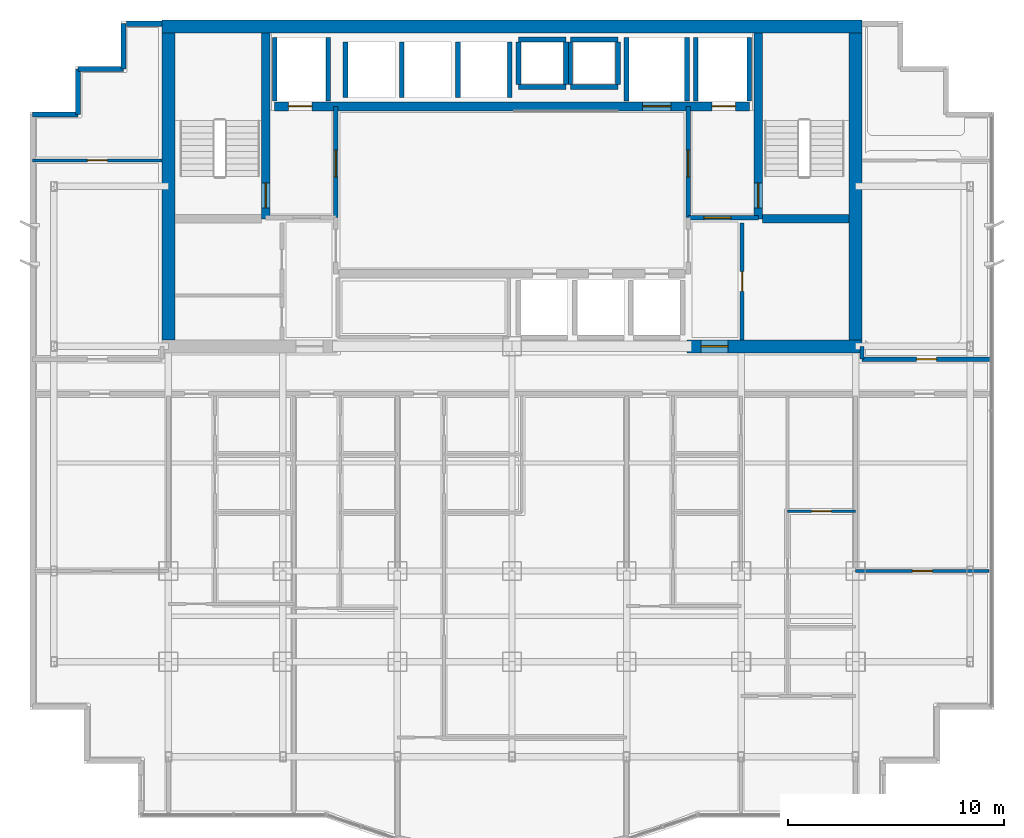
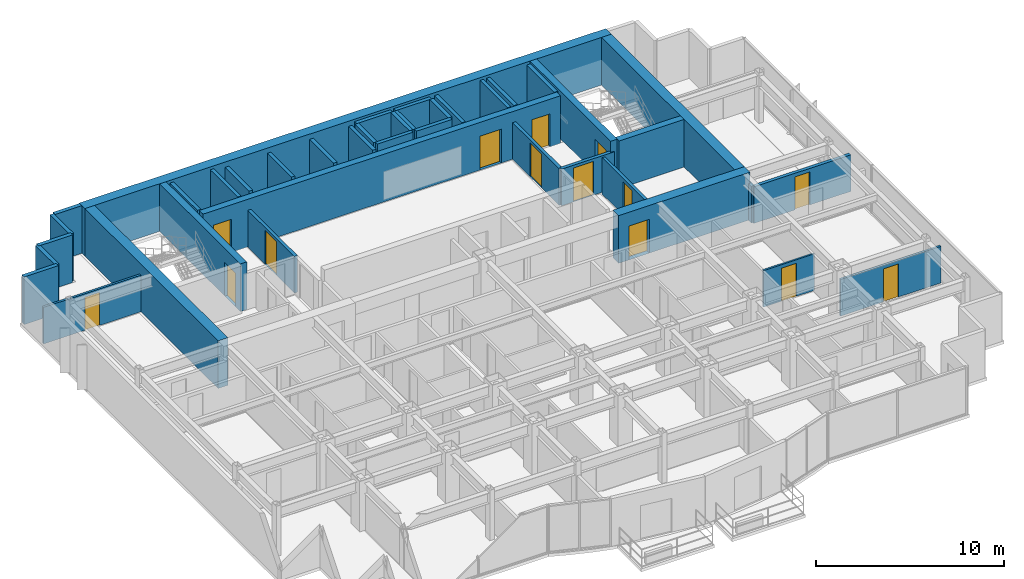
# One storey, part 10 of 13: 40 walls, 14 doors, 14 openings.
"""IFC4 building model written with IfcOpenShell, lengths in metres."""

from ifc_helpers import new_model, si_unit, direction, frame, frame_2d, origin, place, context, subcontext, project, spatial, rectangle, extrude, material, layer, layer_set, type_object, element, fill, save


model = new_model("IFC4")

# Units and contexts
model_context = context("Model", 3, precision=1e-05, world=origin(), true_north=direction((0.0, 1.0)))
body_context = subcontext(model_context, "Body", "Model", "MODEL_VIEW")
ifc_project = project(units=[si_unit("LENGTHUNIT", "METRE"), si_unit("AREAUNIT", "SQUARE_METRE"), si_unit("VOLUMEUNIT", "CUBIC_METRE"), si_unit("PLANEANGLEUNIT", "RADIAN"), si_unit("MASSUNIT", "GRAM", prefix="KILO")], contexts=[model_context])

# Site, building, storey
site_placement = place(None, origin())
site = spatial("IfcSite", under=ifc_project, at=site_placement, CompositionType="ELEMENT")
building_placement = place(site_placement, origin())
building = spatial("IfcBuilding", under=site, at=building_placement, Name="Qianlan Lanfeng Residences", CompositionType="ELEMENT")
storey_placement = place(building_placement, frame((0.0, 0.0, 139.199951171875)))
storey = spatial("IfcBuildingStorey", under=building, at=storey_placement, Name="L37", CompositionType="ELEMENT", Elevation=139.199951171875)

# Wall, opening, door
ifc_material_1 = material(Name="Concrete C56", Category="concrete")
ifc_layer_1 = layer(ifc_material_1, 0.39990234375)
ifc_layer_set_1 = layer_set([ifc_layer_1], Name="Concrete C56")
wall_type_1 = type_object("IfcWallType", Name="CW-RC-400", PredefinedType="SHEAR", material=ifc_layer_set_1)
wall_1_placement = place(storey_placement, frame((15.10009765625, 31.10009765625, 0.0), z_axis=(0.0, 0.0, 1.0), x_axis=(0.0, 1.0, 0.0)))
wall_1 = element("IfcWall", 1, at=wall_1_placement, inside=storey, type_object=wall_type_1, Name="L37 Core Shear Wall ST1E", PredefinedType="SHEAR", context=body_context, shape_type="SweptSolid", body=[
    extrude(rectangle(XDim=8.599853515625, YDim=0.39990234375, at=frame_2d((4.2998046875, 0.0))), origin(), (0.0, 0.0, 1.0), 3.10009765625),
])
opening_1_placement = place(wall_1_placement, frame((0.510009765625, 0.0, 0.0)))
opening_1 = element("IfcOpeningElement", 2, at=opening_1_placement, cuts=wall_1, Name="Opening L37-D07", PredefinedType="OPENING", context=body_context, shape_type="SweptSolid", body=[
    extrude(rectangle(XDim=1.14990234375, YDim=2.199951171875, at=frame_2d((0.574951171875, 1.10009765625))), frame((0.0, 0.2099609375, 0.0), z_axis=(0.0, -1.0, 0.0), x_axis=(1.0, 0.0, 0.0)), (0.0, 0.0, 1.0), 0.419921875),
])
ifc_material_2 = material(Name="Painted Galvanised Steel Fire Door", Category="steel")
door_type_1 = type_object("IfcDoorType", Name="DT-ST1", OperationType="NOTDEFINED", PredefinedType="DOOR", material=ifc_material_2)
door_1_placement = place(opening_1_placement, frame((1.14990234375, 0.0, 0.0), z_axis=(0.0, 0.0, 1.0), x_axis=(-1.0, 0.0, 0.0)))
door_1 = element("IfcDoor", 3, at=door_1_placement, inside=storey, type_object=door_type_1, Name="L37 Exit Stair ST-1 Door L37-D07 (DT-ST1)", OperationType="SINGLE_SWING_RIGHT", OverallHeight=2.199951171875, OverallWidth=1.14990234375, PredefinedType="DOOR", context=body_context, shape_type="SweptSolid", body=[
    extrude(rectangle(XDim=1.14990234375, YDim=2.199951171875, at=frame_2d((0.574951171875, 1.10009765625))), frame((0.0, 0.02490234375, 0.0), z_axis=(0.0, -1.0, 0.0), x_axis=(1.0, 0.0, 0.0)), (0.0, 0.0, 1.0), 0.050048828125),
])
fill(opening_1, door_1)

wall_2_placement = place(storey_placement, frame((37.89990234375, 31.10009765625, 0.0), z_axis=(0.0, 0.0, 1.0), x_axis=(0.0, 1.0, 0.0)))
wall_2 = element("IfcWall", 4, at=wall_2_placement, inside=storey, type_object=wall_type_1, Name="L37 Core Shear Wall ST2W", PredefinedType="SHEAR", context=body_context, shape_type="SweptSolid", body=[
    extrude(rectangle(XDim=8.599853515625, YDim=0.39990234375, at=frame_2d((4.2998046875, 0.0))), origin(), (0.0, 0.0, 1.0), 3.10009765625),
])
opening_2_placement = place(wall_2_placement, frame((0.510009765625, 0.0, 0.0)))
opening_2 = element("IfcOpeningElement", 5, at=opening_2_placement, cuts=wall_2, Name="Opening L37-D08", PredefinedType="OPENING", context=body_context, shape_type="SweptSolid", body=[
    extrude(rectangle(XDim=1.14990234375, YDim=2.199951171875, at=frame_2d((0.574951171875, 1.10009765625))), frame((0.0, 0.2099609375, 0.0), z_axis=(0.0, -1.0, 0.0), x_axis=(1.0, 0.0, 0.0)), (0.0, 0.0, 1.0), 0.419921875),
])
door_2_placement = place(opening_2_placement, origin())
door_2 = element("IfcDoor", 6, at=door_2_placement, inside=storey, type_object=door_type_1, Name="L37 Exit Stair ST-2 Door L37-D08 (DT-ST1)", OperationType="SINGLE_SWING_RIGHT", OverallHeight=2.199951171875, OverallWidth=1.14990234375, PredefinedType="DOOR", context=body_context, shape_type="SweptSolid", body=[
    extrude(rectangle(XDim=1.14990234375, YDim=2.199951171875, at=frame_2d((0.574951171875, 1.10009765625))), frame((0.0, 0.02490234375, 0.0), z_axis=(0.0, -1.0, 0.0), x_axis=(1.0, 0.0, 0.0)), (0.0, 0.0, 1.0), 0.050048828125),
])
fill(opening_2, door_2)

# Wall
wall_3_placement = place(storey_placement, frame((38.10009765625, 31.10009765625, 0.0), z_axis=(0.0, 0.0, 1.0), x_axis=(1.0, 0.0, 0.0)))
element("IfcWall", 7, at=wall_3_placement, inside=storey, type_object=wall_type_1, Name="L37 Core Shear Wall ST2S", PredefinedType="SHEAR", context=body_context, shape_type="SweptSolid", body=[
    extrude(rectangle(XDim=4.0, YDim=0.39990234375, at=frame_2d((2.0, 0.0))), origin(), (0.0, 0.0, 1.0), 3.10009765625),
])

# Wall, openings, doors
wall_4_placement = place(storey_placement, frame((15.5, 36.300048828125, 0.0), z_axis=(0.0, 0.0, 1.0), x_axis=(1.0, 0.0, 0.0)))
wall_4 = element("IfcWall", 8, at=wall_4_placement, inside=storey, type_object=wall_type_1, Name="L37 Core Shear Wall LBN", PredefinedType="SHEAR", context=body_context, shape_type="SweptSolid", body=[
    extrude(rectangle(XDim=22.0, YDim=0.39990234375, at=frame_2d((11.0, 0.0))), origin(), (0.0, 0.0, 1.0), 3.10009765625),
])
opening_3_placement = place(wall_4_placement, frame((0.64990234375, 0.0, 0.0)))
opening_3 = element("IfcOpeningElement", 9, at=opening_3_placement, cuts=wall_4, Name="Opening L37-LD-FFL-1", PredefinedType="OPENING", context=body_context, shape_type="SweptSolid", body=[
    extrude(rectangle(XDim=1.10009765625, YDim=2.14990234375, at=frame_2d((0.550048828125, 1.074951171875))), frame((0.0, 0.2099609375, 0.0), z_axis=(0.0, -1.0, 0.0), x_axis=(1.0, 0.0, 0.0)), (0.0, 0.0, 1.0), 0.419921875),
])
opening_4_placement = place(wall_4_placement, frame((20.25, 0.0, 0.0)))
opening_4 = element("IfcOpeningElement", 10, at=opening_4_placement, cuts=wall_4, Name="Opening L37-LD-FFL-2", PredefinedType="OPENING", context=body_context, shape_type="SweptSolid", body=[
    extrude(rectangle(XDim=1.10009765625, YDim=2.14990234375, at=frame_2d((0.550048828125, 1.074951171875))), frame((0.0, 0.2099609375, 0.0), z_axis=(0.0, -1.0, 0.0), x_axis=(1.0, 0.0, 0.0)), (0.0, 0.0, 1.0), 0.419921875),
])
opening_5_placement = place(wall_4_placement, frame((17.050048828125, 0.0, 0.0)))
opening_5 = element("IfcOpeningElement", 11, at=opening_5_placement, cuts=wall_4, Name="Opening L37-LD-SVL-1", PredefinedType="OPENING", context=body_context, shape_type="SweptSolid", body=[
    extrude(rectangle(XDim=1.300048828125, YDim=2.199951171875, at=frame_2d((0.64990234375, 1.10009765625))), frame((0.0, 0.2099609375, 0.0), z_axis=(0.0, -1.0, 0.0), x_axis=(1.0, 0.0, 0.0)), (0.0, 0.0, 1.0), 0.419921875),
])
ifc_material_3 = material(Name="Brushed Stainless Steel Sliding Lift Door", Category="steel")
door_type_2 = type_object("IfcDoorType", Name="LD-01", OperationType="NOTDEFINED", PredefinedType="DOOR", material=ifc_material_3)
door_3_placement = place(opening_3_placement, frame((1.10009765625, 0.0, 0.0), z_axis=(0.0, 0.0, 1.0), x_axis=(-1.0, 0.0, 0.0)))
door_3 = element("IfcDoor", 12, at=door_3_placement, inside=storey, type_object=door_type_2, Name="L37 Elevator FFL-1 Sliding Landing Door", OperationType="DOUBLE_DOOR_SLIDING", OverallHeight=2.14990234375, OverallWidth=1.10009765625, PredefinedType="DOOR", context=body_context, shape_type="SweptSolid", body=[
    extrude(rectangle(XDim=1.10009765625, YDim=2.14990234375, at=frame_2d((0.550048828125, 1.074951171875))), frame((0.0, 0.02490234375, 0.0), z_axis=(0.0, -1.0, 0.0), x_axis=(1.0, 0.0, 0.0)), (0.0, 0.0, 1.0), 0.050048828125),
])
fill(opening_3, door_3)
door_4_placement = place(opening_4_placement, frame((1.10009765625, 0.0, 0.0), z_axis=(0.0, 0.0, 1.0), x_axis=(-1.0, 0.0, 0.0)))
door_4 = element("IfcDoor", 13, at=door_4_placement, inside=storey, type_object=door_type_2, Name="L37 Elevator FFL-2 Sliding Landing Door", OperationType="DOUBLE_DOOR_SLIDING", OverallHeight=2.14990234375, OverallWidth=1.10009765625, PredefinedType="DOOR", context=body_context, shape_type="SweptSolid", body=[
    extrude(rectangle(XDim=1.10009765625, YDim=2.14990234375, at=frame_2d((0.550048828125, 1.074951171875))), frame((0.0, 0.02490234375, 0.0), z_axis=(0.0, -1.0, 0.0), x_axis=(1.0, 0.0, 0.0)), (0.0, 0.0, 1.0), 0.050048828125),
])
fill(opening_4, door_4)
door_type_3 = type_object("IfcDoorType", Name="LD-02", OperationType="NOTDEFINED", PredefinedType="DOOR", material=ifc_material_3)
door_5_placement = place(opening_5_placement, frame((1.300048828125, 0.0, 0.0), z_axis=(0.0, 0.0, 1.0), x_axis=(-1.0, 0.0, 0.0)))
door_5 = element("IfcDoor", 14, at=door_5_placement, inside=storey, type_object=door_type_3, Name="L37 Elevator SVL-1 Sliding Landing Door", OperationType="DOUBLE_DOOR_SLIDING", OverallHeight=2.199951171875, OverallWidth=1.300048828125, PredefinedType="DOOR", context=body_context, shape_type="SweptSolid", body=[
    extrude(rectangle(XDim=1.300048828125, YDim=2.199951171875, at=frame_2d((0.64990234375, 1.10009765625))), frame((0.0, 0.02490234375, 0.0), z_axis=(0.0, -1.0, 0.0), x_axis=(1.0, 0.0, 0.0)), (0.0, 0.0, 1.0), 0.050048828125),
])
fill(opening_5, door_5)

# Walls
ifc_layer_2 = layer(ifc_material_1, 0.60009765625)
ifc_layer_set_2 = layer_set([ifc_layer_2], Name="Concrete C56")
wall_type_2 = type_object("IfcWallType", Name="CW-RC-600", PredefinedType="SHEAR", material=ifc_layer_set_2)
wall_5_placement = place(storey_placement, frame((10.300048828125, 40.0, 0.0), z_axis=(0.0, 0.0, 1.0), x_axis=(1.0, 0.0, 0.0)))
element("IfcWall", 15, at=wall_5_placement, inside=storey, type_object=wall_type_2, Name="L37 Core Shear Wall N", PredefinedType="SHEAR", context=body_context, shape_type="SweptSolid", body=[
    extrude(rectangle(XDim=32.39990234375, YDim=0.60009765625, at=frame_2d((16.199951171875, 0.0))), origin(), (0.0, 0.0, 1.0), 3.10009765625),
])
for number, where, z_axis, x_axis, name in (
    (16, (10.60009765625, 25.5, 0.0), (0.0, 0.0, 1.0), (0.0, 1.0, 0.0), "L37 Core Shear Wall W"),
    (17, (42.39990234375, 25.5, 0.0), (0.0, 0.0, 1.0), (0.0, 1.0, 0.0), "L37 Core Shear Wall E"),
):
    element("IfcWall", number, at=place(storey_placement, frame(where, z_axis=z_axis, x_axis=x_axis)), inside=storey, type_object=wall_type_2, Name=name, PredefinedType="SHEAR", context=body_context, shape_type="SweptSolid", body=[
        extrude(rectangle(XDim=14.199951171875, YDim=0.60009765625, at=frame_2d((7.10009765625, 0.0))), origin(), (0.0, 0.0, 1.0), 3.10009765625),
    ])

# Wall, opening, door
wall_6_placement = place(storey_placement, frame((34.60009765625, 25.199951171875, 0.0), z_axis=(0.0, 0.0, 1.0), x_axis=(1.0, 0.0, 0.0)))
wall_6 = element("IfcWall", 18, at=wall_6_placement, inside=storey, type_object=wall_type_2, Name="L37 Core Shear Wall SE", PredefinedType="SHEAR", context=body_context, shape_type="SweptSolid", body=[
    extrude(rectangle(XDim=8.099853515625, YDim=0.60009765625, at=frame_2d((4.0498046875, 0.0))), origin(), (0.0, 0.0, 1.0), 3.10009765625),
])
opening_6_placement = place(wall_6_placement, frame((0.64990234375, 0.0, 0.0)))
opening_6 = element("IfcOpeningElement", 19, at=opening_6_placement, cuts=wall_6, Name="Opening L37-D02", PredefinedType="OPENING", context=body_context, shape_type="SweptSolid", body=[
    extrude(rectangle(XDim=1.25, YDim=2.199951171875, at=frame_2d((0.625, 1.10009765625))), frame((0.0, 0.31005859375, 0.0), z_axis=(0.0, -1.0, 0.0), x_axis=(1.0, 0.0, 0.0)), (0.0, 0.0, 1.0), 0.6201171875),
])
door_type_4 = type_object("IfcDoorType", Name="DT-FFL", OperationType="NOTDEFINED", PredefinedType="DOOR", material=ifc_material_2)
door_6_placement = place(opening_6_placement, frame((1.25, 0.0, 0.0), z_axis=(0.0, 0.0, 1.0), x_axis=(-1.0, 0.0, 0.0)))
door_6 = element("IfcDoor", 20, at=door_6_placement, inside=storey, type_object=door_type_4, Name="L37 East Core Lobby Smoke Door L37-D02 (DT-FFL)", OperationType="SINGLE_SWING_LEFT", OverallHeight=2.199951171875, OverallWidth=1.25, PredefinedType="DOOR", context=body_context, shape_type="SweptSolid", body=[
    extrude(rectangle(XDim=1.25, YDim=2.199951171875, at=frame_2d((0.625, 1.10009765625))), frame((0.0, 0.02490234375, 0.0), z_axis=(0.0, -1.0, 0.0), x_axis=(1.0, 0.0, 0.0)), (0.0, 0.0, 1.0), 0.050048828125),
])
fill(opening_6, door_6)

# Walls
ifc_material_4 = material(Name="Concrete C42", Category="concrete")
ifc_layer_3 = layer(ifc_material_4, 0.239990234375)
ifc_layer_set_3 = layer_set([ifc_layer_3], Name="Concrete C42")
wall_type_3 = type_object("IfcWallType", Name="EW-240", PredefinedType="SOLIDWALL", material=ifc_layer_set_3)
wall_7_placement = place(storey_placement, frame((10.300048828125, 40.1298828125, 0.0), z_axis=(0.0, 0.0, 1.0), x_axis=(-1.0, 0.0, 0.0)))
element("IfcWall", 21, at=wall_7_placement, inside=storey, type_object=wall_type_3, Name="L37 North Wing Exterior Wall W", PredefinedType="SOLIDWALL", context=body_context, shape_type="SweptSolid", body=[
    extrude(rectangle(XDim=1.650146484375, YDim=0.239990234375, at=frame_2d((0.8251953125, 0.0))), origin(), (0.0, 0.0, 1.0), 3.10009765625),
])
wall_8_placement = place(storey_placement, frame((8.52001953125, 40.1298828125, 0.0), z_axis=(0.0, 0.0, 1.0), x_axis=(0.0, -1.0, 0.0)))
element("IfcWall", 22, at=wall_8_placement, inside=storey, type_object=wall_type_3, Name="L37 Exterior Facade Spandrel Wall 17", PredefinedType="SOLIDWALL", context=body_context, shape_type="SweptSolid", body=[
    extrude(rectangle(XDim=2.099853515625, YDim=0.239990234375, at=frame_2d((1.0498046875, 0.0))), origin(), (0.0, 0.0, 1.0), 3.10009765625),
])
for number, where, z_axis, x_axis, name in (
    (23, (8.52001953125, 38.030029296875, 0.0), (0.0, 0.0, 1.0), (-1.0, 0.0, 0.0), "L37 Exterior Facade Spandrel Wall 18"),
    (24, (6.419921875, 38.030029296875, 0.0), (0.0, 0.0, 1.0), (0.0, -1.0, 0.0), "L37 Exterior Facade Spandrel Wall 19"),
):
    element("IfcWall", number, at=place(storey_placement, frame(where, z_axis=z_axis, x_axis=x_axis)), inside=storey, type_object=wall_type_3, Name=name, PredefinedType="SOLIDWALL", context=body_context, shape_type="SweptSolid", body=[
        extrude(rectangle(XDim=2.10009765625, YDim=0.239990234375, at=frame_2d((1.050048828125, 0.0))), origin(), (0.0, 0.0, 1.0), 3.10009765625),
    ])
wall_9_placement = place(storey_placement, frame((6.419921875, 35.929931640625, 0.0), z_axis=(0.0, 0.0, 1.0), x_axis=(-1.0, 0.0, 0.0)))
element("IfcWall", 25, at=wall_9_placement, inside=storey, type_object=wall_type_3, Name="L37 Exterior Facade Spandrel Wall 20", PredefinedType="SOLIDWALL", context=body_context, shape_type="SweptSolid", body=[
    extrude(rectangle(XDim=2.099853515625, YDim=0.239990234375, at=frame_2d((1.0498046875, 0.0))), origin(), (0.0, 0.0, 1.0), 3.10009765625),
])

# Wall, opening, door
ifc_material_5 = material(Name="Demountable Acoustic Framing Partition 110 mm")
ifc_layer_4 = layer(ifc_material_5, 0.110107421875)
ifc_layer_set_4 = layer_set([ifc_layer_4], Name="Demountable Acoustic Framing Partition 110 mm")
wall_type_4 = type_object("IfcWallType", Name="PW-110", PredefinedType="MOVABLE", material=ifc_layer_set_4)
wall_10_placement = place(storey_placement, frame((39.25, 17.56005859375, 0.0), z_axis=(0.0, 0.0, 1.0), x_axis=(1.0, 0.0, 0.0)))
wall_10 = element("IfcWall", 26, at=wall_10_placement, inside=storey, type_object=wall_type_4, Name="L37 U04 Wardrobe Split", PredefinedType="MOVABLE", context=body_context, shape_type="SweptSolid", body=[
    extrude(rectangle(XDim=3.14990234375, YDim=0.110107421875, at=frame_2d((1.574951171875, 0.0))), origin(), (0.0, 0.0, 1.0), 2.380126953125),
])
opening_7_placement = place(wall_10_placement, frame((1.114990234375, 0.0, 0.0)))
opening_7 = element("IfcOpeningElement", 27, at=opening_7_placement, cuts=wall_10, Name="Opening L37-D39", PredefinedType="OPENING", context=body_context, shape_type="SweptSolid", body=[
    extrude(rectangle(XDim=0.919921875, YDim=2.14990234375, at=frame_2d((0.4599609375, 1.074951171875))), frame((0.0, 0.06494140625, 0.0), z_axis=(0.0, -1.0, 0.0), x_axis=(1.0, 0.0, 0.0)), (0.0, 0.0, 1.0), 0.130126953125),
])
ifc_material_6 = material(Name="Glazed Timber Kitchen/Study Door", Category="wood")
door_type_5 = type_object("IfcDoorType", Name="DT-INT", OperationType="NOTDEFINED", PredefinedType="DOOR", material=ifc_material_6)
door_7_placement = place(opening_7_placement, origin())
door_7 = element("IfcDoor", 28, at=door_7_placement, inside=storey, type_object=door_type_5, Name="L37 U04 Dressing Inner Door L37-D39 (DT-INT)", OperationType="SINGLE_SWING_LEFT", OverallHeight=2.14990234375, OverallWidth=0.919921875, PredefinedType="DOOR", context=body_context, shape_type="SweptSolid", body=[
    extrude(rectangle(XDim=0.919921875, YDim=2.14990234375, at=frame_2d((0.4599609375, 1.074951171875))), frame((0.0, 0.02490234375, 0.0), z_axis=(0.0, -1.0, 0.0), x_axis=(1.0, 0.0, 0.0)), (0.0, 0.0, 1.0), 0.050048828125),
])
fill(opening_7, door_7)

ifc_material_7 = material(Name="Moisture-Resistant Gypsum Partition 135 mm")
ifc_layer_5 = layer(ifc_material_7, 0.135009765625)
ifc_layer_set_5 = layer_set([ifc_layer_5], Name="Moisture-Resistant Gypsum Partition 135 mm")
wall_type_5 = type_object("IfcWallType", Name="PW-135", PredefinedType="PARTITIONING", material=ifc_layer_set_5)
wall_11_placement = place(storey_placement, frame((42.39990234375, 14.800048828125, 0.0), z_axis=(0.0, 0.0, 1.0), x_axis=(1.0, 0.0, 0.0)))
wall_11 = element("IfcWall", 29, at=wall_11_placement, inside=storey, type_object=wall_type_5, Name="L37 SEP Mid Partition", PredefinedType="PARTITIONING", context=body_context, shape_type="SweptSolid", body=[
    extrude(rectangle(XDim=6.18017578125, YDim=0.135009765625, at=frame_2d((3.090087890625, 0.0))), origin(), (0.0, 0.0, 1.0), 2.380126953125),
])
opening_8_placement = place(wall_11_placement, frame((2.6298828125, 0.0, 0.0)))
opening_8 = element("IfcOpeningElement", 30, at=opening_8_placement, cuts=wall_11, Name="Opening L37-D42", PredefinedType="OPENING", context=body_context, shape_type="SweptSolid", body=[
    extrude(rectangle(XDim=0.919921875, YDim=2.14990234375, at=frame_2d((0.4599609375, 1.074951171875))), frame((0.0, 0.07763671875, 0.0), z_axis=(0.0, -1.0, 0.0), x_axis=(1.0, 0.0, 0.0)), (0.0, 0.0, 1.0), 0.155029296875),
])
door_8_placement = place(opening_8_placement, origin())
door_8 = element("IfcDoor", 31, at=door_8_placement, inside=storey, type_object=door_type_5, Name="L37 SEP Inner Door L37-D42 (DT-INT)", OperationType="SINGLE_SWING_RIGHT", OverallHeight=2.14990234375, OverallWidth=0.919921875, PredefinedType="DOOR", context=body_context, shape_type="SweptSolid", body=[
    extrude(rectangle(XDim=0.919921875, YDim=2.14990234375, at=frame_2d((0.4599609375, 1.074951171875))), frame((0.0, 0.02490234375, 0.0), z_axis=(0.0, -1.0, 0.0), x_axis=(1.0, 0.0, 0.0)), (0.0, 0.0, 1.0), 0.050048828125),
])
fill(opening_8, door_8)

wall_12_placement = place(storey_placement, frame((4.320068359375, 33.800048828125, 0.0), z_axis=(0.0, 0.0, 1.0), x_axis=(1.0, 0.0, 0.0)))
wall_12 = element("IfcWall", 32, at=wall_12_placement, inside=storey, type_object=wall_type_5, Name="L37 WW North Wing Wall", PredefinedType="PARTITIONING", context=body_context, shape_type="SweptSolid", body=[
    extrude(rectangle(XDim=5.97998046875, YDim=0.135009765625, at=frame_2d((2.989990234375, 0.0))), origin(), (0.0, 0.0, 1.0), 2.380126953125),
])
opening_9_placement = place(wall_12_placement, frame((2.530029296875, 0.0, 0.0)))
opening_9 = element("IfcOpeningElement", 33, at=opening_9_placement, cuts=wall_12, Name="Opening L37-D44", PredefinedType="OPENING", context=body_context, shape_type="SweptSolid", body=[
    extrude(rectangle(XDim=0.919921875, YDim=2.14990234375, at=frame_2d((0.4599609375, 1.074951171875))), frame((0.0, 0.07763671875, 0.0), z_axis=(0.0, -1.0, 0.0), x_axis=(1.0, 0.0, 0.0)), (0.0, 0.0, 1.0), 0.155029296875),
])
door_9_placement = place(opening_9_placement, origin())
door_9 = element("IfcDoor", 34, at=door_9_placement, inside=storey, type_object=door_type_5, Name="L37 WW Inner Salon Door L37-D44 (DT-INT)", OperationType="SINGLE_SWING_RIGHT", OverallHeight=2.14990234375, OverallWidth=0.919921875, PredefinedType="DOOR", context=body_context, shape_type="SweptSolid", body=[
    extrude(rectangle(XDim=0.919921875, YDim=2.14990234375, at=frame_2d((0.4599609375, 1.074951171875))), frame((0.0, 0.02490234375, 0.0), z_axis=(0.0, -1.0, 0.0), x_axis=(1.0, 0.0, 0.0)), (0.0, 0.0, 1.0), 0.050048828125),
])
fill(opening_9, door_9)

ifc_material_8 = material(Name="Double-Layer Acoustic Gypsum Stud Wall 180 mm")
ifc_layer_6 = layer(ifc_material_8, 0.179931640625)
ifc_layer_set_6 = layer_set([ifc_layer_6], Name="Double-Layer Acoustic Gypsum Stud Wall 180 mm")
wall_type_6 = type_object("IfcWallType", Name="PW-180", PredefinedType="PARTITIONING", material=ifc_layer_set_6)
wall_13_placement = place(storey_placement, frame((37.14990234375, 25.5, 0.0), z_axis=(0.0, 0.0, 1.0), x_axis=(0.0, 1.0, 0.0)))
wall_13 = element("IfcWall", 35, at=wall_13_placement, inside=storey, type_object=wall_type_6, Name="L37 Core East Service Room Wall", PredefinedType="PARTITIONING", context=body_context, shape_type="SweptSolid", body=[
    extrude(rectangle(XDim=5.39990234375, YDim=0.179931640625, at=frame_2d((2.699951171875, 0.0))), origin(), (0.0, 0.0, 1.0), 2.380126953125),
])
opening_10_placement = place(wall_13_placement, frame((2.239990234375, 0.0, 0.0)))
opening_10 = element("IfcOpeningElement", 36, at=opening_10_placement, cuts=wall_13, Name="Opening L37-D11", PredefinedType="OPENING", context=body_context, shape_type="SweptSolid", body=[
    extrude(rectangle(XDim=0.919921875, YDim=2.14990234375, at=frame_2d((0.4599609375, 1.074951171875))), frame((0.0, 0.10009765625, 0.0), z_axis=(0.0, -1.0, 0.0), x_axis=(1.0, 0.0, 0.0)), (0.0, 0.0, 1.0), 0.199951171875),
])
door_10_placement = place(opening_10_placement, origin())
door_10 = element("IfcDoor", 37, at=door_10_placement, inside=storey, type_object=door_type_5, Name="L37 Mail Parcel Closet Door L37-D11 (DT-INT)", OperationType="SINGLE_SWING_LEFT", OverallHeight=2.14990234375, OverallWidth=0.919921875, PredefinedType="DOOR", context=body_context, shape_type="SweptSolid", body=[
    extrude(rectangle(XDim=0.919921875, YDim=2.14990234375, at=frame_2d((0.4599609375, 1.074951171875))), frame((0.0, 0.02490234375, 0.0), z_axis=(0.0, -1.0, 0.0), x_axis=(1.0, 0.0, 0.0)), (0.0, 0.0, 1.0), 0.050048828125),
])
fill(opening_10, door_10)

ifc_material_9 = material(Name="Autoclaved Aerated Concrete Blockwork 200 mm", Category="masonry")
ifc_layer_7 = layer(ifc_material_9, 0.199951171875)
ifc_layer_set_7 = layer_set([ifc_layer_7], Name="Autoclaved Aerated Concrete Blockwork 200 mm")
wall_type_7 = type_object("IfcWallType", Name="PW-200", PredefinedType="PARTITIONING", material=ifc_layer_set_7)
wall_14_placement = place(storey_placement, frame((18.35009765625, 31.14990234375, 0.0), z_axis=(0.0, 0.0, 1.0), x_axis=(0.0, 1.0, 0.0)))
wall_14 = element("IfcWall", 38, at=wall_14_placement, inside=storey, type_object=wall_type_7, Name="L37 Firefighting Lobby 1 East Wall", PredefinedType="PARTITIONING", context=body_context, shape_type="SweptSolid", body=[
    extrude(rectangle(XDim=5.150146484375, YDim=0.199951171875, at=frame_2d((2.5751953125, 0.0))), origin(), (0.0, 0.0, 1.0), 2.380126953125),
])
opening_11_placement = place(wall_14_placement, frame((1.875, 0.0, 0.0)))
opening_11 = element("IfcOpeningElement", 39, at=opening_11_placement, cuts=wall_14, Name="Opening L37-D04", PredefinedType="OPENING", context=body_context, shape_type="SweptSolid", body=[
    extrude(rectangle(XDim=1.25, YDim=2.199951171875, at=frame_2d((0.625, 1.10009765625))), frame((0.0, 0.10986328125, 0.0), z_axis=(0.0, -1.0, 0.0), x_axis=(1.0, 0.0, 0.0)), (0.0, 0.0, 1.0), 0.219970703125),
])
door_11_placement = place(opening_11_placement, origin())
door_11 = element("IfcDoor", 40, at=door_11_placement, inside=storey, type_object=door_type_4, Name="L37 Firefighting Lobby 1 Lift Lobby Door L37-D04 (DT-FFL)", OperationType="SINGLE_SWING_RIGHT", OverallHeight=2.199951171875, OverallWidth=1.25, PredefinedType="DOOR", context=body_context, shape_type="SweptSolid", body=[
    extrude(rectangle(XDim=1.25, YDim=2.199951171875, at=frame_2d((0.625, 1.10009765625))), frame((0.0, 0.02490234375, 0.0), z_axis=(0.0, -1.0, 0.0), x_axis=(1.0, 0.0, 0.0)), (0.0, 0.0, 1.0), 0.050048828125),
])
fill(opening_11, door_11)

wall_15_placement = place(storey_placement, frame((34.64990234375, 31.14990234375, 0.0), z_axis=(0.0, 0.0, 1.0), x_axis=(1.0, 0.0, 0.0)))
wall_15 = element("IfcWall", 41, at=wall_15_placement, inside=storey, type_object=wall_type_7, Name="L37 Firefighting Lobby 2 South Wall", PredefinedType="PARTITIONING", context=body_context, shape_type="SweptSolid", body=[
    extrude(rectangle(XDim=3.25, YDim=0.199951171875, at=frame_2d((1.625, 0.0))), origin(), (0.0, 0.0, 1.0), 2.380126953125),
])
opening_12_placement = place(wall_15_placement, frame((0.72509765625, 0.0, 0.0)))
opening_12 = element("IfcOpeningElement", 42, at=opening_12_placement, cuts=wall_15, Name="Opening L37-D05", PredefinedType="OPENING", context=body_context, shape_type="SweptSolid", body=[
    extrude(rectangle(XDim=1.25, YDim=2.199951171875, at=frame_2d((0.625, 1.10009765625))), frame((0.0, 0.10986328125, 0.0), z_axis=(0.0, -1.0, 0.0), x_axis=(1.0, 0.0, 0.0)), (0.0, 0.0, 1.0), 0.219970703125),
])
door_12_placement = place(opening_12_placement, origin())
door_12 = element("IfcDoor", 43, at=door_12_placement, inside=storey, type_object=door_type_4, Name="L37 Firefighting Lobby 2 Entry Door L37-D05 (DT-FFL)", OperationType="SINGLE_SWING_RIGHT", OverallHeight=2.199951171875, OverallWidth=1.25, PredefinedType="DOOR", context=body_context, shape_type="SweptSolid", body=[
    extrude(rectangle(XDim=1.25, YDim=2.199951171875, at=frame_2d((0.625, 1.10009765625))), frame((0.0, 0.02490234375, 0.0), z_axis=(0.0, -1.0, 0.0), x_axis=(1.0, 0.0, 0.0)), (0.0, 0.0, 1.0), 0.050048828125),
])
fill(opening_12, door_12)

wall_16_placement = place(storey_placement, frame((34.64990234375, 31.14990234375, 0.0), z_axis=(0.0, 0.0, 1.0), x_axis=(0.0, 1.0, 0.0)))
wall_16 = element("IfcWall", 44, at=wall_16_placement, inside=storey, type_object=wall_type_7, Name="L37 Firefighting Lobby 2 West Wall", PredefinedType="PARTITIONING", context=body_context, shape_type="SweptSolid", body=[
    extrude(rectangle(XDim=5.150146484375, YDim=0.199951171875, at=frame_2d((2.5751953125, 0.0))), origin(), (0.0, 0.0, 1.0), 2.380126953125),
])
opening_13_placement = place(wall_16_placement, frame((1.875, 0.0, 0.0)))
opening_13 = element("IfcOpeningElement", 45, at=opening_13_placement, cuts=wall_16, Name="Opening L37-D06", PredefinedType="OPENING", context=body_context, shape_type="SweptSolid", body=[
    extrude(rectangle(XDim=1.25, YDim=2.199951171875, at=frame_2d((0.625, 1.10009765625))), frame((0.0, 0.10986328125, 0.0), z_axis=(0.0, -1.0, 0.0), x_axis=(1.0, 0.0, 0.0)), (0.0, 0.0, 1.0), 0.219970703125),
])
door_13_placement = place(opening_13_placement, origin())
door_13 = element("IfcDoor", 46, at=door_13_placement, inside=storey, type_object=door_type_4, Name="L37 Firefighting Lobby 2 Lift Lobby Door L37-D06 (DT-FFL)", OperationType="SINGLE_SWING_RIGHT", OverallHeight=2.199951171875, OverallWidth=1.25, PredefinedType="DOOR", context=body_context, shape_type="SweptSolid", body=[
    extrude(rectangle(XDim=1.25, YDim=2.199951171875, at=frame_2d((0.625, 1.10009765625))), frame((0.0, 0.02490234375, 0.0), z_axis=(0.0, -1.0, 0.0), x_axis=(1.0, 0.0, 0.0)), (0.0, 0.0, 1.0), 0.050048828125),
])
fill(opening_13, door_13)

wall_17_placement = place(storey_placement, frame((42.699951171875, 24.60009765625, 0.0), z_axis=(0.0, 0.0, 1.0), x_axis=(1.0, 0.0, 0.0)))
wall_17 = element("IfcWall", 47, at=wall_17_placement, inside=storey, type_object=wall_type_7, Name="L37 Corridor NE Wall", PredefinedType="PARTITIONING", context=body_context, shape_type="SweptSolid", body=[
    extrude(rectangle(XDim=5.97998046875, YDim=0.199951171875, at=frame_2d((2.989990234375, 0.0))), origin(), (0.0, 0.0, 1.0), 2.380126953125),
])
opening_14_placement = place(wall_17_placement, frame((2.530029296875, 0.0, 0.0)))
opening_14 = element("IfcOpeningElement", 48, at=opening_14_placement, cuts=wall_17, Name="Opening L37-D47", PredefinedType="OPENING", context=body_context, shape_type="SweptSolid", body=[
    extrude(rectangle(XDim=0.919921875, YDim=2.14990234375, at=frame_2d((0.4599609375, 1.074951171875))), frame((0.0, 0.10986328125, 0.0), z_axis=(0.0, -1.0, 0.0), x_axis=(1.0, 0.0, 0.0)), (0.0, 0.0, 1.0), 0.219970703125),
])
door_14_placement = place(opening_14_placement, origin())
door_14 = element("IfcDoor", 49, at=door_14_placement, inside=storey, type_object=door_type_5, Name="L37 EW Amenity Salon Door L37-D47 (DT-INT)", OperationType="SINGLE_SWING_LEFT", OverallHeight=2.14990234375, OverallWidth=0.919921875, PredefinedType="DOOR", context=body_context, shape_type="SweptSolid", body=[
    extrude(rectangle(XDim=0.919921875, YDim=2.14990234375, at=frame_2d((0.4599609375, 1.074951171875))), frame((0.0, 0.02490234375, 0.0), z_axis=(0.0, -1.0, 0.0), x_axis=(1.0, 0.0, 0.0)), (0.0, 0.0, 1.0), 0.050048828125),
])
fill(opening_14, door_14)

# Walls
wall_18_placement = place(storey_placement, frame((42.699951171875, 24.60009765625, 0.0), z_axis=(0.0, 0.0, 1.0), x_axis=(0.0, 1.0, 0.0)))
element("IfcWall", 50, at=wall_18_placement, inside=storey, type_object=wall_type_7, Name="L37 NE Wing Core Return Wall", PredefinedType="PARTITIONING", context=body_context, shape_type="SweptSolid", body=[
    extrude(rectangle(XDim=0.599853515625, YDim=0.199951171875, at=frame_2d((0.2998046875, 0.0))), origin(), (0.0, 0.0, 1.0), 2.380126953125),
])
ifc_material_10 = material(Name="Concrete C49", Category="concrete")
ifc_layer_8 = layer(ifc_material_10, 0.219970703125)
ifc_layer_set_8 = layer_set([ifc_layer_8], Name="Concrete C49")
wall_type_8 = type_object("IfcWallType", Name="SHW-220", PredefinedType="SOLIDWALL", material=ifc_layer_set_8)
for number, where, z_axis, x_axis, name in (
    (51, (15.52001953125, 36.550048828125, 0.0), (0.0, 0.0, 1.0), (0.0, 1.0, 0.0), "L37 Lift FFL-1 Shaft Wall W"),
    (52, (18.0, 36.550048828125, 0.0), (0.0, 0.0, 1.0), (0.0, 1.0, 0.0), "L37 Lift FFL-1 Shaft Wall E"),
    (53, (35.0, 36.550048828125, 0.0), (0.0, 0.0, 1.0), (0.0, 1.0, 0.0), "L37 Lift FFL-2 Shaft Wall W"),
    (54, (37.47998046875, 36.550048828125, 0.0), (0.0, 0.0, 1.0), (0.0, 1.0, 0.0), "L37 Lift FFL-2 Shaft Wall E"),
    (55, (31.800048828125, 36.550048828125, 0.0), (0.0, 0.0, 1.0), (0.0, 1.0, 0.0), "L37 Lift SVL-1 Shaft Wall W"),
    (56, (34.60009765625, 36.550048828125, 0.0), (0.0, 0.0, 1.0), (0.0, 1.0, 0.0), "L37 Lift SVL-1 Shaft Wall E"),
):
    element("IfcWall", number, at=place(storey_placement, frame(where, z_axis=z_axis, x_axis=x_axis)), inside=storey, type_object=wall_type_8, Name=name, PredefinedType="SOLIDWALL", context=body_context, shape_type="SweptSolid", body=[
        extrude(rectangle(XDim=2.929931640625, YDim=0.219970703125, at=frame_2d((1.46484375, 0.0))), origin(), (0.0, 0.0, 1.0), 3.10009765625),
    ])
for number, where, z_axis, x_axis, name in (
    (57, (18.800048828125, 36.719970703125, 0.0), (0.0, 0.0, 1.0), (0.0, 1.0, 0.0), "L37 Lift PL-H1 Shaft Wall W"),
    (58, (21.39990234375, 36.719970703125, 0.0), (0.0, 0.0, 1.0), (0.0, 1.0, 0.0), "L37 Lift PL-H2 Shaft Wall W"),
    (59, (24.0, 36.719970703125, 0.0), (0.0, 0.0, 1.0), (0.0, 1.0, 0.0), "L37 Lift PL-H3 Shaft Wall W"),
    (60, (26.39990234375, 36.719970703125, 0.0), (0.0, 0.0, 1.0), (0.0, 1.0, 0.0), "L37 Lift PL-H3 Shaft Wall E"),
):
    element("IfcWall", number, at=place(storey_placement, frame(where, z_axis=z_axis, x_axis=x_axis)), inside=storey, type_object=wall_type_8, Name=name, PredefinedType="SOLIDWALL", context=body_context, shape_type="SweptSolid", body=[
        extrude(rectangle(XDim=2.56005859375, YDim=0.219970703125, at=frame_2d((1.280029296875, 0.0))), origin(), (0.0, 0.0, 1.0), 3.10009765625),
    ])
for number, where, z_axis, x_axis, name in (
    (61, (26.800048828125, 37.31005859375, 0.0), (0.0, 0.0, 1.0), (0.0, 1.0, 0.0), "L37 MEP Riser MEP-R1 Shaft Wall W"),
    (62, (29.0, 37.31005859375, 0.0), (0.0, 0.0, 1.0), (0.0, 1.0, 0.0), "L37 MEP Riser MEP-R1 Shaft Wall E"),
):
    element("IfcWall", number, at=place(storey_placement, frame(where, z_axis=z_axis, x_axis=x_axis)), inside=storey, type_object=wall_type_8, Name=name, PredefinedType="SOLIDWALL", context=body_context, shape_type="SweptSolid", body=[
        extrude(rectangle(XDim=1.97998046875, YDim=0.219970703125, at=frame_2d((0.989990234375, 0.0))), origin(), (0.0, 0.0, 1.0), 3.10009765625),
    ])
for number, where, z_axis, x_axis, name in (
    (63, (26.800048828125, 39.39990234375, 0.0), (0.0, 0.0, 1.0), (1.0, 0.0, 0.0), "L37 MEP Riser MEP-R1 Shaft Wall N"),
    (64, (26.800048828125, 37.199951171875, 0.0), (0.0, 0.0, 1.0), (1.0, 0.0, 0.0), "L37 MEP Riser MEP-R1 Shaft Wall S"),
):
    element("IfcWall", number, at=place(storey_placement, frame(where, z_axis=z_axis, x_axis=x_axis)), inside=storey, type_object=wall_type_8, Name=name, PredefinedType="SOLIDWALL", context=body_context, shape_type="SweptSolid", body=[
        extrude(rectangle(XDim=2.199951171875, YDim=0.219970703125, at=frame_2d((1.10009765625, 0.0))), origin(), (0.0, 0.0, 1.0), 3.10009765625),
    ])
for number, where, z_axis, x_axis, name in (
    (65, (29.199951171875, 37.31005859375, 0.0), (0.0, 0.0, 1.0), (0.0, 1.0, 0.0), "L37 MEP Riser MEP-R2 Shaft Wall W"),
    (66, (31.39990234375, 37.31005859375, 0.0), (0.0, 0.0, 1.0), (0.0, 1.0, 0.0), "L37 MEP Riser MEP-R2 Shaft Wall E"),
):
    element("IfcWall", number, at=place(storey_placement, frame(where, z_axis=z_axis, x_axis=x_axis)), inside=storey, type_object=wall_type_8, Name=name, PredefinedType="SOLIDWALL", context=body_context, shape_type="SweptSolid", body=[
        extrude(rectangle(XDim=1.97998046875, YDim=0.219970703125, at=frame_2d((0.989990234375, 0.0))), origin(), (0.0, 0.0, 1.0), 3.10009765625),
    ])
for number, where, z_axis, x_axis, name in (
    (67, (29.199951171875, 39.39990234375, 0.0), (0.0, 0.0, 1.0), (1.0, 0.0, 0.0), "L37 MEP Riser MEP-R2 Shaft Wall N"),
    (68, (29.199951171875, 37.199951171875, 0.0), (0.0, 0.0, 1.0), (1.0, 0.0, 0.0), "L37 MEP Riser MEP-R2 Shaft Wall S"),
):
    element("IfcWall", number, at=place(storey_placement, frame(where, z_axis=z_axis, x_axis=x_axis)), inside=storey, type_object=wall_type_8, Name=name, PredefinedType="SOLIDWALL", context=body_context, shape_type="SweptSolid", body=[
        extrude(rectangle(XDim=2.199951171875, YDim=0.219970703125, at=frame_2d((1.10009765625, 0.0))), origin(), (0.0, 0.0, 1.0), 3.10009765625),
    ])

save(model, "model.ifc")
